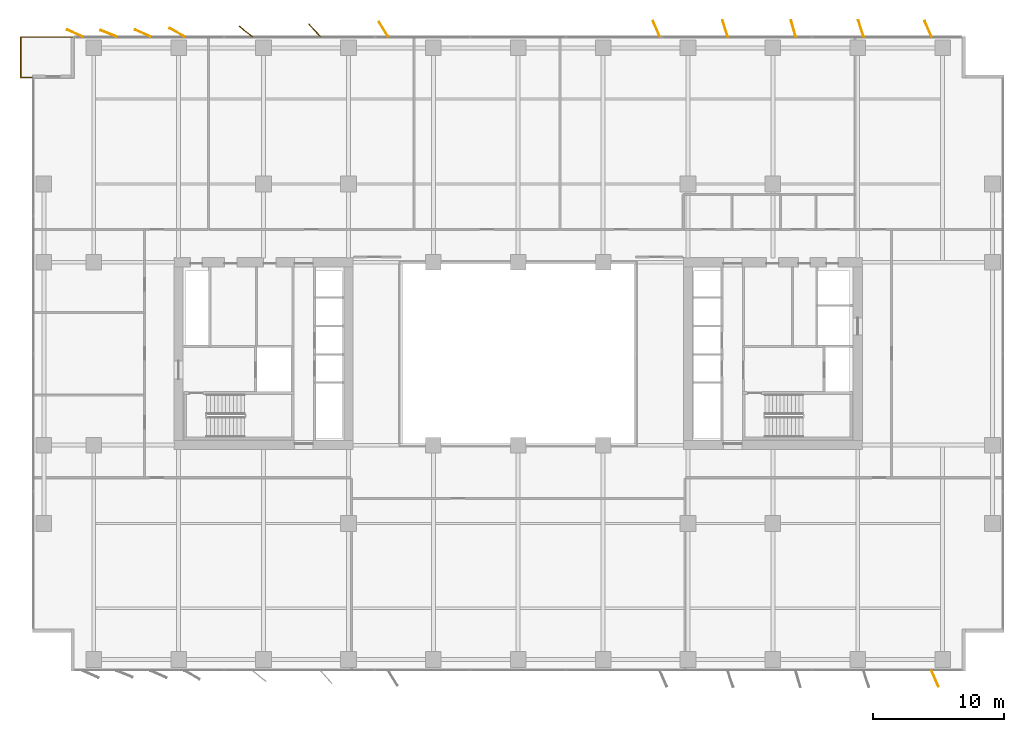
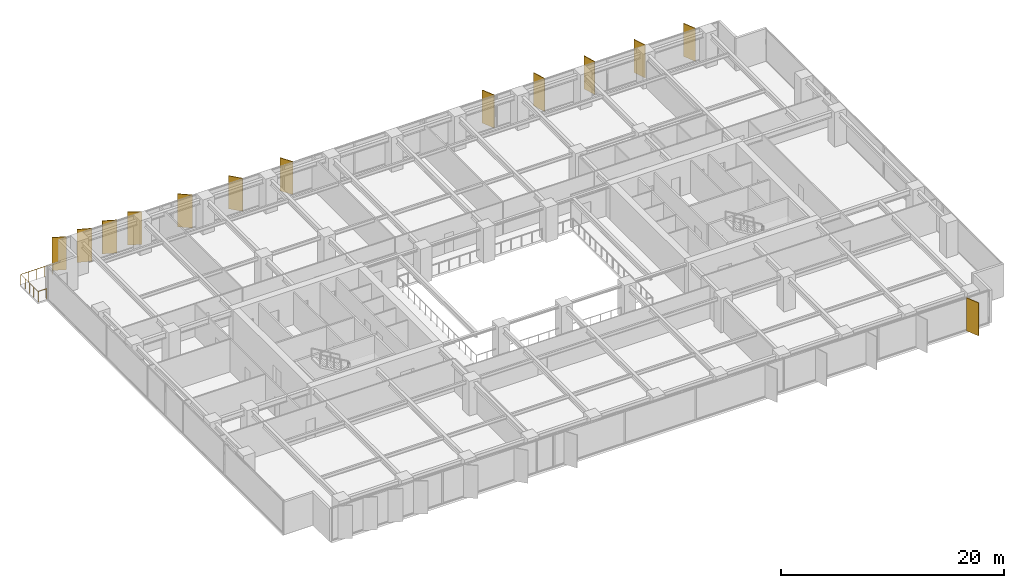
# One storey, part 20 of 20: 13 shading devices, 1 railing.
"""IFC4 building model written with IfcOpenShell, lengths in metres."""

from ifc_helpers import new_model, si_unit, direction, frame, origin, origin_2d, place, context, subcontext, project, spatial, rectangle, circle, extrude, material, layer, layer_set, type_object, element, save


model = new_model("IFC4")

# Units and contexts
model_context = context("Model", 3, precision=1e-05, world=origin(), true_north=direction((0.0, 1.0)))
body_context = subcontext(model_context, "Body", "Model", "MODEL_VIEW")
ifc_project = project(units=[si_unit("LENGTHUNIT", "METRE"), si_unit("AREAUNIT", "SQUARE_METRE"), si_unit("VOLUMEUNIT", "CUBIC_METRE"), si_unit("PLANEANGLEUNIT", "RADIAN"), si_unit("MASSUNIT", "GRAM", prefix="KILO")], contexts=[model_context])

# Site, building, storey
site_placement = place(None, origin())
site = spatial("IfcSite", under=ifc_project, at=site_placement, CompositionType="ELEMENT")
building_placement = place(site_placement, origin())
building = spatial("IfcBuilding", under=site, at=building_placement, Name="Putna Gate Headquarters", CompositionType="ELEMENT")
storey_placement = place(building_placement, frame((0.0, 0.0, 89.800048828125)))
storey = spatial("IfcBuildingStorey", under=building, at=storey_placement, Name="L21", CompositionType="ELEMENT", Elevation=89.800048828125)

# Railing
ifc_material_1 = material(Name="Anodised bronze steel and laminated glass guardrail", Category="steel")
railing_type = type_object("IfcRailingType", Name="RAIL-TERR-GUARD-1150", PredefinedType="GUARDRAIL", material=ifc_material_1)
railing_placement = place(storey_placement, frame((1.800048828125, 47.159912109375, 0.0)))
element("IfcRailing", 1, at=railing_placement, inside=storey, type_object=railing_type, Name="L21 Spiral Sky Terrace Guardrail NW", PredefinedType="GUARDRAIL", context=body_context, shape_type="SweptSolid", body=[
    extrude(circle(Radius=0.02392578125, at=origin_2d()), frame((0.0, 0.0, 1.1259765625), z_axis=(-1.0, 0.0, 0.0), x_axis=(0.0, -1.0, 0.0)), (0.0, 0.0, 1.0), 0.89013671875),
    extrude(circle(Radius=0.02392578125, at=origin_2d()), frame((-0.89013671875, 0.0, 1.1259765625), z_axis=(0.0, 1.0, 0.0), x_axis=(-1.0, 0.0, 0.0)), (0.0, 0.0, 1.0), 3.080078125),
    extrude(circle(Radius=0.02392578125, at=origin_2d()), frame((-0.89013671875, 3.080078125, 1.1259765625), z_axis=(1.0, 0.0, 0.0), x_axis=(0.0, 1.0, 0.0)), (0.0, 0.0, 1.0), 4.090087890625),
    extrude(circle(Radius=0.02099609375, at=origin_2d()), origin(), (0.0, 0.0, 1.0), 1.101806640625),
    extrude(circle(Radius=0.02099609375, at=origin_2d()), frame((-0.89013671875, 0.0, 0.0)), (0.0, 0.0, 1.0), 1.101806640625),
    extrude(circle(Radius=0.02099609375, at=origin_2d()), frame((-0.89013671875, 0.77001953125, 0.0)), (0.0, 0.0, 1.0), 1.101806640625),
    extrude(circle(Radius=0.02099609375, at=origin_2d()), frame((-0.89013671875, 1.5400390625, 0.0)), (0.0, 0.0, 1.0), 1.101806640625),
    extrude(circle(Radius=0.02099609375, at=origin_2d()), frame((-0.89013671875, 2.31005859375, 0.0)), (0.0, 0.0, 1.0), 1.101806640625),
    extrude(circle(Radius=0.02099609375, at=origin_2d()), frame((-0.89013671875, 3.080078125, 0.0)), (0.0, 0.0, 1.0), 1.101806640625),
    extrude(circle(Radius=0.02099609375, at=origin_2d()), frame((-0.072021484375, 3.080078125, 0.0)), (0.0, 0.0, 1.0), 1.101806640625),
    extrude(circle(Radius=0.02099609375, at=origin_2d()), frame((0.745849609375, 3.080078125, 0.0)), (0.0, 0.0, 1.0), 1.101806640625),
    extrude(circle(Radius=0.02099609375, at=origin_2d()), frame((1.56396484375, 3.080078125, 0.0)), (0.0, 0.0, 1.0), 1.101806640625),
    extrude(circle(Radius=0.02099609375, at=origin_2d()), frame((2.3818359375, 3.080078125, 0.0)), (0.0, 0.0, 1.0), 1.101806640625),
    extrude(circle(Radius=0.02099609375, at=origin_2d()), frame((3.199951171875, 3.080078125, 0.0)), (0.0, 0.0, 1.0), 1.101806640625),
])

# Shading devices
ifc_material_2 = material(Name="Anodised architectural bronze aluminium fin", Category="aluminium")
ifc_layer = layer(ifc_material_2, 0.06494140625)
ifc_layer_set = layer_set([ifc_layer], Name="Anodised architectural bronze aluminium fin")
shading_device_type = type_object("IfcShadingDeviceType", Name="SHADE-BRONZE-FIN-1320", PredefinedType="USERDEFINED", material=ifc_layer_set)
for number, where, z_axis, x_axis, name in (
    (2, (5.047119140625, 50.543212890625, -0.02001953125), (0.0, 0.0, 1.0), (-0.913687379856, 0.40641773078, 0.0), "L21 Bronze Vertical Shading Fin N1"),
    (3, (7.63818359375, 50.522216796875, -0.02001953125), (0.0, 0.0, 1.0), (-0.927183854567, 0.374606593416, 0.0), "L21 Bronze Vertical Shading Fin N2"),
    (4, (10.2470703125, 50.543212890625, -0.02001953125), (0.0, 0.0, 1.0), (-0.913687379856, 0.40641773078, 0.0), "L21 Bronze Vertical Shading Fin N3"),
    (5, (12.876220703125, 50.601318359375, -0.02001953125), (0.0, 0.0, 1.0), (-0.869322458298, 0.494245347472, 0.0), "L21 Bronze Vertical Shading Fin N4"),
    (6, (18.13037109375, 50.681884765625, -0.02001953125), (0.0, 0.0, 1.0), (-0.787473187632, 0.616348909921, 0.0), "L21 Bronze Vertical Shading Fin N5"),
    (7, (23.408447265625, 50.765380859375, -0.02001953125), (0.0, 0.0, 1.0), (-0.669130606359, 0.743144825477, 0.0), "L21 Bronze Vertical Shading Fin N6"),
    (8, (28.69970703125, 50.83447265625, -0.02001953125), (0.0, 0.0, 1.0), (-0.530659123936, 0.847585331506, 0.0), "L21 Bronze Vertical Shading Fin N7"),
    (9, (49.585693359375, 50.879638671875, -0.02001953125), (0.0, 0.0, 1.0), (-0.400668879095, 0.916222925562, 0.0), "L21 Bronze Vertical Shading Fin N8"),
    (10, (54.84619140625, 50.90283203125, -0.02001953125), (0.0, 0.0, 1.0), (-0.308684994204, 0.951164325631, 0.0), "L21 Bronze Vertical Shading Fin N9"),
    (11, (60.068115234375, 50.909423828125, -0.02001953125), (0.0, 0.0, 1.0), (-0.275637355817, 0.961261695938, 0.0), "L21 Bronze Vertical Shading Fin N10"),
    (12, (65.246337890625, 50.90283203125, -0.02001953125), (0.0, 0.0, 1.0), (-0.308684994204, 0.951164325631, 0.0), "L21 Bronze Vertical Shading Fin N11"),
    (13, (70.914306640625, 1.120361328125, -0.02001953125), (0.0, 0.0, 1.0), (0.400668879095, -0.916222925562, 0.0), "L21 Bronze Vertical Shading Fin S12"),
    (14, (70.385498046875, 50.879638671875, -0.02001953125), (0.0, 0.0, 1.0), (-0.400668879095, 0.916222925562, 0.0), "L21 Bronze Vertical Shading Fin N12"),
):
    element("IfcShadingDevice", number, at=place(storey_placement, frame(where, z_axis=z_axis, x_axis=x_axis)), inside=storey, type_object=shading_device_type, Name=name, ObjectType="FIN", PredefinedType="USERDEFINED", context=body_context, shape_type="SweptSolid", body=[
        extrude(rectangle(XDim=1.320068359375, YDim=0.06494140625, at=origin_2d()), origin(), (0.0, 0.0, 1.0), 3.60498046875),
    ])

save(model, "model.ifc")
